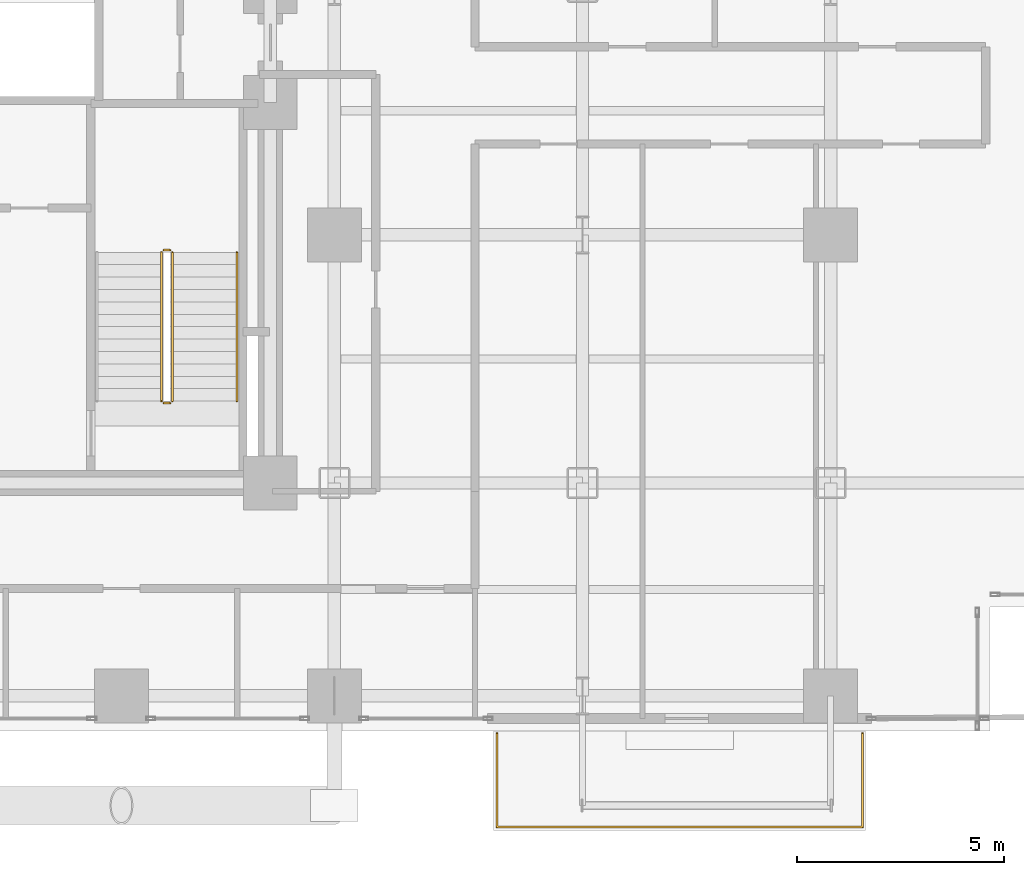
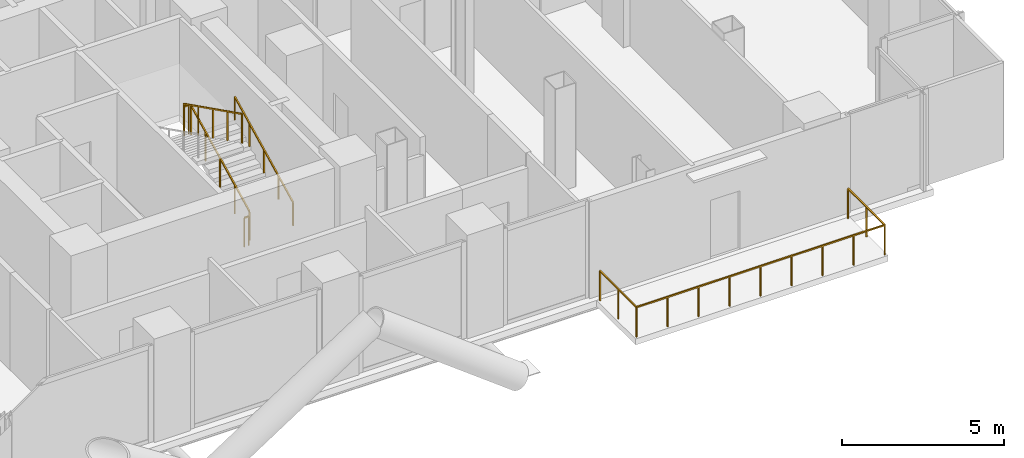
# One storey, part 26 of 27: 6 railings.
"""IFC4 building model written with IfcOpenShell, lengths in metres."""

import ifcopenshell
import ifcopenshell.guid

model = None  # the IFC model being written
_history = None  # IfcOwnerHistory: only IFC2X3 demands one
_inside = {}  # id of a spatial element -> (the spatial element, [elements in it])
_under = {}  # id of a project, library or spatial element -> (it, [spatial elements below it])
_declared = {}  # id of a project -> (the project, [libraries it declares])
_typed = {}  # id of a type object -> (the type object, [elements of that type])
_made_of = {}  # id of a material, layer set ... -> (it, [elements and type objects made of it])


def new_model(schema):
    """Start an empty IFC model of exactly this schema.

    Asked for "IFC4X3", IfcOpenShell would pick the latest addendum, in which some entities
    have other attributes; the version numbers below select the first issue.
    IFC2X3 requires an IfcOwnerHistory on every rooted entity: one is made here for all.
    """
    global model, _history
    if schema == "IFC4X3":
        model = ifcopenshell.file(schema_version=(4, 3, 0, 0))
    else:
        model = ifcopenshell.file(schema=schema)
    _inside.clear()
    _under.clear()
    _declared.clear()
    _typed.clear()
    _made_of.clear()
    _history = None
    if model.schema == "IFC2X3":
        org = make("IfcOrganization", Name="unknown")
        user = make(
            "IfcPersonAndOrganization",
            ThePerson=make("IfcPerson", FamilyName="unknown"),
            TheOrganization=org,
        )
        app = make(
            "IfcApplication",
            ApplicationDeveloper=org,
            Version="unknown",
            ApplicationFullName="unknown",
            ApplicationIdentifier="unknown",
        )
        _history = make(
            "IfcOwnerHistory",
            OwningUser=user,
            OwningApplication=app,
            ChangeAction="ADDED",
            CreationDate=0,
        )
    return model


def make(cls, **values):
    """One entity of the class cls with the attributes given. An attribute that is None is left unset."""
    return model.create_entity(
        cls, **{name: value for name, value in values.items() if value is not None}
    )


def rooted(cls, **values):
    """An entity with a GlobalId (a new one), such as an element, a storey or a relation."""
    return make(cls, GlobalId=ifcopenshell.guid.new(), OwnerHistory=_history, **values)


def si_unit(unit_type, name, prefix=None):
    """IfcSIUnit, for example si_unit("LENGTHUNIT", "METRE", prefix="MILLI")."""
    return make("IfcSIUnit", UnitType=unit_type, Prefix=prefix, Name=name)


def assignment(units):
    """IfcUnitAssignment: the units of a project."""
    return None if units is None else make("IfcUnitAssignment", Units=units)


def point(xyz):
    """IfcCartesianPoint."""
    return None if xyz is None else make("IfcCartesianPoint", Coordinates=xyz)


def direction(xyz):
    """IfcDirection."""
    return None if xyz is None else make("IfcDirection", DirectionRatios=xyz)


def frame(location, z_axis=None, x_axis=None):
    """IfcAxis2Placement3D, a coordinate frame: its origin and axes. An axis left out is left unset."""
    return make(
        "IfcAxis2Placement3D",
        Location=point(location),
        Axis=direction(z_axis),
        RefDirection=direction(x_axis),
    )


def frame_2d(location, x_axis=None):
    """IfcAxis2Placement2D, a coordinate frame in the plane: its origin and x axis."""
    return make(
        "IfcAxis2Placement2D", Location=point(location), RefDirection=direction(x_axis)
    )


def origin():
    """The frame at (0, 0, 0) with its axes left unset."""
    return frame((0.0, 0.0, 0.0))


def origin_2d():
    """The frame at (0, 0) in the plane with its x axis left unset."""
    return frame_2d((0.0, 0.0))


def place(relative_to, where):
    """IfcLocalPlacement: puts the frame where relative to a parent placement (None: the world)."""
    return make(
        "IfcLocalPlacement", PlacementRelTo=relative_to, RelativePlacement=where
    )


def context(
    kind, dimensions, precision=None, world=None, true_north=None, identifier=None
):
    """IfcGeometricRepresentationContext, for example the 3D "Model" context."""
    return make(
        "IfcGeometricRepresentationContext",
        ContextIdentifier=identifier,
        ContextType=kind,
        CoordinateSpaceDimension=dimensions,
        Precision=precision,
        WorldCoordinateSystem=world,
        TrueNorth=true_north,
    )


def subcontext(parent, identifier, kind, view, scale=None):
    """IfcGeometricRepresentationSubContext, for example "Body" below "Model"."""
    return make(
        "IfcGeometricRepresentationSubContext",
        ContextIdentifier=identifier,
        ContextType=kind,
        ParentContext=parent,
        TargetScale=scale,
        TargetView=view,
    )


def project(units=None, contexts=None):
    """IfcProject with its units and contexts."""
    return rooted(
        "IfcProject",
        Name="project",
        RepresentationContexts=contexts,
        UnitsInContext=assignment(units),
    )


def spatial(cls, under=None, at=None, **own):
    """A site, building, storey or space (cls), placed at a placement, below another one or the project."""
    s = rooted(cls, ObjectPlacement=at, **own)
    if under is not None:
        _under.setdefault(under.id(), (under, []))[1].append(s)
    return s


def profile(cls, at=None, kind="AREA", **sizes):
    """A parametric profile (cls). Its sizes go by their IFC names, for example OverallWidth=200.0."""
    return make(cls, ProfileType=kind, Position=at, **sizes)


def rectangle(**sizes):
    """IfcRectangleProfileDef."""
    return profile("IfcRectangleProfileDef", **sizes)


def extrude(swept, where, along, depth):
    """IfcExtrudedAreaSolid: the profile swept, set in the frame where, extruded along a direction by depth."""
    return make(
        "IfcExtrudedAreaSolid",
        SweptArea=swept,
        Position=where,
        ExtrudedDirection=direction(along),
        Depth=depth,
    )


def shape(context_of_items, identifier, shape_type, items):
    """IfcShapeRepresentation: the items that make up one representation, for example the "Body"."""
    return make(
        "IfcShapeRepresentation",
        ContextOfItems=context_of_items,
        RepresentationIdentifier=identifier,
        RepresentationType=shape_type,
        Items=items,
    )


def material(Name=None, Category=None):
    """IfcMaterial."""
    return make("IfcMaterial", Name=Name, Category=Category)


def made_of(thing, what):
    """Note that an element or type object is made of a material, layer set ...; save() writes the relation."""
    if what is not None:
        _made_of.setdefault(what.id(), (what, []))[1].append(thing)
    return thing


def type_object(cls, material=None, **own):
    """A type object (cls), such as IfcWallType, which elements share."""
    return made_of(rooted(cls, **own), material)


def element(
    cls,
    number,
    at=None,
    inside=None,
    cuts=None,
    type_object=None,
    material=None,
    context=None,
    identifier="Body",
    shape_type=None,
    held_by="IfcProductDefinitionShape",
    body=None,
    shapes=None,
    **own,
):
    """One element of the class cls, such as IfcWall. Its Tag is "e" and its number.

    at: its placement. inside: the storey or other place that contains it. cuts: it is an
    opening in that element (IfcRelVoidsElement). A single representation is given by context,
    identifier, shape_type and body (its items); several are given by shapes. held_by: the class
    of the entity that holds the representations. save() writes the other relations.
    """
    e = rooted(cls, Tag="e%d" % number, ObjectPlacement=at, **own)
    if body is not None:
        shapes = [shape(context, identifier, shape_type, body)]
    if shapes is not None:
        e.Representation = make(held_by, Representations=shapes)
    if inside is not None:
        _inside.setdefault(inside.id(), (inside, []))[1].append(e)
    if cuts is not None:
        rooted(
            "IfcRelVoidsElement", RelatingBuildingElement=cuts, RelatedOpeningElement=e
        )
    if type_object is not None:
        _typed.setdefault(type_object.id(), (type_object, []))[1].append(e)
    return made_of(e, material)


def aggregate(whole, parts):
    """IfcRelAggregates: a whole, such as a stair, and the parts it consists of."""
    return rooted("IfcRelAggregates", RelatingObject=whole, RelatedObjects=parts)


def save(model, path):
    """Write the relations noted so far, then the file.

    IfcRelAggregates (storeys below a building ...), IfcRelContainedInSpatialStructure (elements
    in a storey), IfcRelDefinesByType, IfcRelAssociatesMaterial and IfcRelDeclares: one each for
    every whole, place, type object, material and project.
    """
    for whole, parts in _under.values():
        aggregate(whole, parts)
    for where, things in _inside.values():
        rooted(
            "IfcRelContainedInSpatialStructure",
            RelatedElements=things,
            RelatingStructure=where,
        )
    for kind, things in _typed.values():
        rooted("IfcRelDefinesByType", RelatedObjects=things, RelatingType=kind)
    for what, things in _made_of.values():
        rooted("IfcRelAssociatesMaterial", RelatedObjects=things, RelatingMaterial=what)
    for by, libraries in _declared.values():
        rooted("IfcRelDeclares", RelatingContext=by, RelatedDefinitions=libraries)
    model.write(path)


model = new_model("IFC4")

# Units and contexts
model_context = context("Model", 3, precision=1e-05, world=origin(), true_north=direction((0.0, 1.0)))
body_context = subcontext(model_context, "Body", "Model", "MODEL_VIEW")
ifc_project = project(units=[si_unit("LENGTHUNIT", "METRE"), si_unit("AREAUNIT", "SQUARE_METRE"), si_unit("VOLUMEUNIT", "CUBIC_METRE"), si_unit("PLANEANGLEUNIT", "RADIAN"), si_unit("MASSUNIT", "GRAM", prefix="KILO"), si_unit("THERMODYNAMICTEMPERATUREUNIT", "KELVIN"), si_unit("POWERUNIT", "WATT")], contexts=[model_context])

# Site, building, storey
site_placement = place(None, origin())
site = spatial("IfcSite", under=ifc_project, at=site_placement, CompositionType="ELEMENT")
building_placement = place(site_placement, origin())
building = spatial("IfcBuilding", under=site, at=building_placement, Name="Svarakhadi Broadcast Tower", CompositionType="ELEMENT")
storey_placement = place(building_placement, frame((0.0, 0.0, 44.10009765625)))
storey = spatial("IfcBuildingStorey", under=building, at=storey_placement, Name="L09", CompositionType="ELEMENT", Elevation=44.10009765625)

# Railings
ifc_material_1 = material(Name="Laminated Structural SentryGlas Balustrade 25.5 mm", Category="glass")
railing_type_1 = type_object("IfcRailingType", Name="Guard_Balcony_GR01", PredefinedType="BALUSTRADE", material=ifc_material_1)
railing_1_placement = place(storey_placement, frame((39.080078125, -0.06005859375, 0.0)))
element("IfcRailing", 1, at=railing_1_placement, inside=storey, type_object=railing_type_1, Name="L09 South Tree Balcony Guard GR-05", PredefinedType="BALUSTRADE", context=body_context, shape_type="SweptSolid", body=[
    extrude(rectangle(XDim=0.048095703125, YDim=0.048095703125, at=origin_2d()), frame((0.0, 0.0, 1.1259765625), z_axis=(0.0, -1.0, 0.0), x_axis=(1.0, 0.0, 0.0)), (0.0, 0.0, 1.0), 2.260009765625),
    extrude(rectangle(XDim=0.048095703125, YDim=0.048095703125, at=origin_2d()), frame((0.0, -2.260009765625, 1.1259765625), z_axis=(1.0, 0.0, 0.0), x_axis=(0.0, 1.0, 0.0)), (0.0, 0.0, 1.0), 8.83984375),
    extrude(rectangle(XDim=0.048095703125, YDim=0.048095703125, at=origin_2d()), frame((8.83984375, -2.260009765625, 1.1259765625), z_axis=(0.0, 1.0, 0.0), x_axis=(-1.0, 0.0, 0.0)), (0.0, 0.0, 1.0), 2.260009765625),
    extrude(rectangle(XDim=0.0419921875, YDim=0.0419921875, at=origin_2d()), origin(), (0.0, 0.0, 1.0), 1.101806640625),
    extrude(rectangle(XDim=0.0419921875, YDim=0.0419921875, at=origin_2d()), frame((0.0, -1.1298828125, 0.0)), (0.0, 0.0, 1.0), 1.101806640625),
    extrude(rectangle(XDim=0.0419921875, YDim=0.0419921875, at=origin_2d()), frame((0.0, -2.260009765625, 0.0)), (0.0, 0.0, 1.0), 1.101806640625),
    extrude(rectangle(XDim=0.0419921875, YDim=0.0419921875, at=origin_2d()), frame((1.10498046875, -2.260009765625, 0.0)), (0.0, 0.0, 1.0), 1.101806640625),
    extrude(rectangle(XDim=0.0419921875, YDim=0.0419921875, at=origin_2d()), frame((2.2099609375, -2.260009765625, 0.0)), (0.0, 0.0, 1.0), 1.101806640625),
    extrude(rectangle(XDim=0.0419921875, YDim=0.0419921875, at=origin_2d()), frame((3.31494140625, -2.260009765625, 0.0)), (0.0, 0.0, 1.0), 1.101806640625),
    extrude(rectangle(XDim=0.0419921875, YDim=0.0419921875, at=origin_2d()), frame((4.419921875, -2.260009765625, 0.0)), (0.0, 0.0, 1.0), 1.101806640625),
    extrude(rectangle(XDim=0.0419921875, YDim=0.0419921875, at=origin_2d()), frame((5.52490234375, -2.260009765625, 0.0)), (0.0, 0.0, 1.0), 1.101806640625),
    extrude(rectangle(XDim=0.0419921875, YDim=0.0419921875, at=origin_2d()), frame((6.6298828125, -2.260009765625, 0.0)), (0.0, 0.0, 1.0), 1.101806640625),
    extrude(rectangle(XDim=0.0419921875, YDim=0.0419921875, at=origin_2d()), frame((7.73486328125, -2.260009765625, 0.0)), (0.0, 0.0, 1.0), 1.101806640625),
    extrude(rectangle(XDim=0.0419921875, YDim=0.0419921875, at=origin_2d()), frame((8.83984375, -2.260009765625, 0.0)), (0.0, 0.0, 1.0), 1.101806640625),
    extrude(rectangle(XDim=0.0419921875, YDim=0.0419921875, at=origin_2d()), frame((8.83984375, -1.1298828125, 0.0)), (0.0, 0.0, 1.0), 1.101806640625),
    extrude(rectangle(XDim=0.0419921875, YDim=0.0419921875, at=origin_2d()), frame((8.83984375, 0.0, 0.0)), (0.0, 0.0, 1.0), 1.101806640625),
])
ifc_material_2 = material(Name="Anodised Bronze Aluminium AA 6063-T6", Category="aluminium")
railing_type_2 = type_object("IfcRailingType", Name="Guard_Stair_GR01", PredefinedType="GUARDRAIL", material=ifc_material_2)
railing_2_placement = place(storey_placement, frame((31.22998046875, 7.97998046875, 0.14990234375)))
element("IfcRailing", 2, at=railing_2_placement, inside=storey, type_object=railing_type_2, Name="L09 ST-02 stair guard 1", PredefinedType="GUARDRAIL", context=body_context, shape_type="SweptSolid", body=[
    extrude(rectangle(XDim=0.048095703125, YDim=0.048095703125, at=origin_2d()), frame((0.0, 0.0, 1.09619140625), z_axis=(0.0, 0.894427191, 0.4472135955), x_axis=(-1.0, 0.0, 0.0)), (0.0, 0.0, 1.0), 4.025146484375),
    extrude(rectangle(XDim=0.0419921875, YDim=0.0419921875, at=origin_2d()), origin(), (0.0, 0.0, 1.0), 1.072021484375),
    extrude(rectangle(XDim=0.0419921875, YDim=0.0419921875, at=origin_2d()), frame((0.0, 0.89990234375, 0.449951171875)), (0.0, 0.0, 1.0), 1.072021484375),
    extrude(rectangle(XDim=0.0419921875, YDim=0.0419921875, at=origin_2d()), frame((0.0, 1.800048828125, 0.89990234375)), (0.0, 0.0, 1.0), 1.072021484375),
    extrude(rectangle(XDim=0.0419921875, YDim=0.0419921875, at=origin_2d()), frame((0.0, 2.7001953125, 1.35009765625)), (0.0, 0.0, 1.0), 1.072021484375),
    extrude(rectangle(XDim=0.0419921875, YDim=0.0419921875, at=origin_2d()), frame((0.0, 3.60009765625, 1.800048828125)), (0.0, 0.0, 1.0), 1.072021484375),
])
railing_3_placement = place(storey_placement, frame((31.179931640625, 11.6298828125, 1.949951171875)))
element("IfcRailing", 3, at=railing_3_placement, inside=storey, type_object=railing_type_2, Name="L09 ST-02 stair guard 2", PredefinedType="GUARDRAIL", context=body_context, shape_type="SweptSolid", body=[
    extrude(rectangle(XDim=0.048095703125, YDim=0.048095703125, at=origin_2d()), frame((0.0, 0.0, 1.09619140625), z_axis=(-1.0, 0.0, 0.0), x_axis=(0.0, -1.0, 0.0)), (0.0, 0.0, 1.0), 0.159912109375),
    extrude(rectangle(XDim=0.0419921875, YDim=0.0419921875, at=origin_2d()), origin(), (0.0, 0.0, 1.0), 1.072021484375),
    extrude(rectangle(XDim=0.0419921875, YDim=0.0419921875, at=origin_2d()), frame((-0.159912109375, 0.0, 0.0)), (0.0, 0.0, 1.0), 1.072021484375),
])
railing_4_placement = place(storey_placement, frame((30.969970703125, 11.580078125, 2.099853515625)))
element("IfcRailing", 4, at=railing_4_placement, inside=storey, type_object=railing_type_2, Name="L09 ST-02 stair guard 3", PredefinedType="GUARDRAIL", context=body_context, shape_type="SweptSolid", body=[
    extrude(rectangle(XDim=0.048095703125, YDim=0.048095703125, at=origin_2d()), frame((0.0, 0.0, 1.09619140625), z_axis=(0.0, -0.894427191, 0.4472135955), x_axis=(1.0, 0.0, 0.0)), (0.0, 0.0, 1.0), 4.025146484375),
    extrude(rectangle(XDim=0.0419921875, YDim=0.0419921875, at=origin_2d()), origin(), (0.0, 0.0, 1.0), 1.072021484375),
    extrude(rectangle(XDim=0.0419921875, YDim=0.0419921875, at=origin_2d()), frame((0.0, -0.89990234375, 0.449951171875)), (0.0, 0.0, 1.0), 1.072021484375),
    extrude(rectangle(XDim=0.0419921875, YDim=0.0419921875, at=origin_2d()), frame((0.0, -1.800048828125, 0.89990234375)), (0.0, 0.0, 1.0), 1.072021484375),
    extrude(rectangle(XDim=0.0419921875, YDim=0.0419921875, at=origin_2d()), frame((0.0, -2.7001953125, 1.35009765625)), (0.0, 0.0, 1.0), 1.072021484375),
    extrude(rectangle(XDim=0.0419921875, YDim=0.0419921875, at=origin_2d()), frame((0.0, -3.60009765625, 1.800048828125)), (0.0, 0.0, 1.0), 1.072021484375),
])
railing_5_placement = place(storey_placement, frame((31.179931640625, 7.929931640625, 0.0)))
element("IfcRailing", 5, at=railing_5_placement, inside=storey, type_object=railing_type_2, Name="L09 ST-02 stair guard 4", PredefinedType="GUARDRAIL", context=body_context, shape_type="SweptSolid", body=[
    extrude(rectangle(XDim=0.048095703125, YDim=0.048095703125, at=origin_2d()), frame((0.0, 0.0, 1.09619140625), z_axis=(-1.0, 0.0, 0.0), x_axis=(0.0, -1.0, 0.0)), (0.0, 0.0, 1.0), 0.159912109375),
    extrude(rectangle(XDim=0.0419921875, YDim=0.0419921875, at=origin_2d()), origin(), (0.0, 0.0, 1.0), 1.072021484375),
    extrude(rectangle(XDim=0.0419921875, YDim=0.0419921875, at=origin_2d()), frame((-0.159912109375, 0.0, 0.0)), (0.0, 0.0, 1.0), 1.072021484375),
])
railing_type_3 = type_object("IfcRailingType", Name="Handrail_Stair_HR01", PredefinedType="HANDRAIL", material=ifc_material_2)
railing_6_placement = place(storey_placement, frame((32.7900390625, 7.97998046875, 0.14990234375)))
element("IfcRailing", 6, at=railing_6_placement, inside=storey, type_object=railing_type_3, Name="L09 ST-02 stair handrail 1", PredefinedType="HANDRAIL", context=body_context, shape_type="SweptSolid", body=[
    extrude(rectangle(XDim=0.048095703125, YDim=0.048095703125, at=origin_2d()), frame((0.0, 0.0, 0.8759765625), z_axis=(0.0, 0.894427191, 0.4472135955), x_axis=(-1.0, 0.0, 0.0)), (0.0, 0.0, 1.0), 4.025146484375),
    extrude(rectangle(XDim=0.0419921875, YDim=0.0419921875, at=origin_2d()), origin(), (0.0, 0.0, 1.0), 0.851806640625),
    extrude(rectangle(XDim=0.0419921875, YDim=0.0419921875, at=origin_2d()), frame((0.0, 0.89990234375, 0.449951171875)), (0.0, 0.0, 1.0), 0.851806640625),
    extrude(rectangle(XDim=0.0419921875, YDim=0.0419921875, at=origin_2d()), frame((0.0, 1.800048828125, 0.89990234375)), (0.0, 0.0, 1.0), 0.851806640625),
    extrude(rectangle(XDim=0.0419921875, YDim=0.0419921875, at=origin_2d()), frame((0.0, 2.7001953125, 1.35009765625)), (0.0, 0.0, 1.0), 0.851806640625),
    extrude(rectangle(XDim=0.0419921875, YDim=0.0419921875, at=origin_2d()), frame((0.0, 3.60009765625, 1.800048828125)), (0.0, 0.0, 1.0), 0.851806640625),
])

save(model, "model.ifc")
